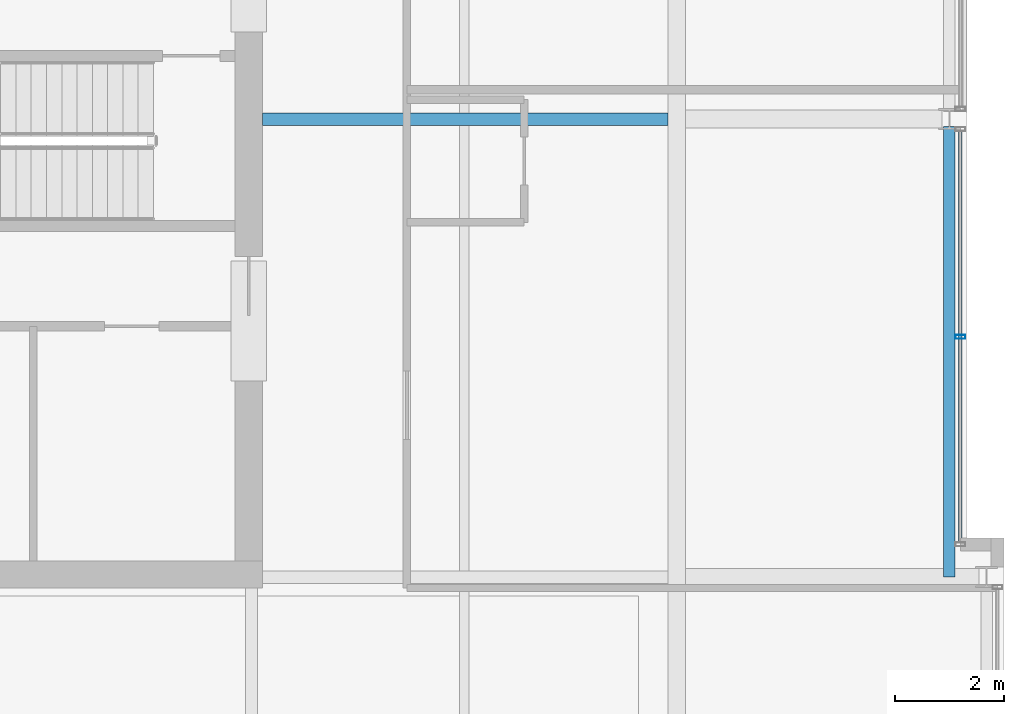
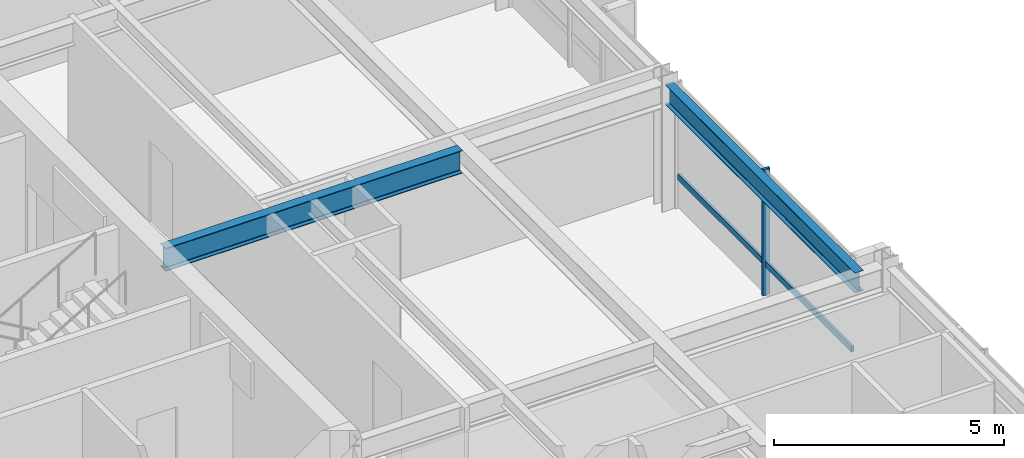
# One storey, part 14 of 31: 2 beams, 2 members, 1 element without a shape of its own.
"""IFC4 building model written with IfcOpenShell, lengths in metres."""

from ifc_helpers import new_model, si_unit, direction, frame, origin, origin_2d, place, context, subcontext, project, spatial, hollow_rectangle, i_section, extrude, material, layer, layer_set, material_profile, profile_set, type_object, element, aggregate, save


model = new_model("IFC4")

# Units and contexts
model_context = context("Model", 3, precision=1e-05, world=origin(), true_north=direction((0.0, 1.0)))
body_context = subcontext(model_context, "Body", "Model", "MODEL_VIEW")
ifc_project = project(units=[si_unit("LENGTHUNIT", "METRE"), si_unit("AREAUNIT", "SQUARE_METRE"), si_unit("VOLUMEUNIT", "CUBIC_METRE"), si_unit("PLANEANGLEUNIT", "RADIAN"), si_unit("MASSUNIT", "GRAM", prefix="KILO")], contexts=[model_context])

# Site, building, storey
site_placement = place(None, origin())
site = spatial("IfcSite", under=ifc_project, at=site_placement, CompositionType="ELEMENT")
building_placement = place(site_placement, origin())
building = spatial("IfcBuilding", under=site, at=building_placement, Name="Drelvath Grand Hotel", CompositionType="ELEMENT")
storey_placement = place(building_placement, frame((0.0, 0.0, 219.5)))
storey = spatial("IfcBuildingStorey", under=building, at=storey_placement, Name="L57", CompositionType="ELEMENT", Elevation=219.5)

# Curtain wall, members
ifc_material_1 = material(Name="Platinum-Mist Anodised Aluminium Frame", Category="aluminium")
ifc_layer = layer(ifc_material_1, 0.199951171875)
ifc_layer_set = layer_set([ifc_layer], Name="Platinum-Mist Anodised Aluminium Frame")
curtain_wall_type = type_object("IfcCurtainWallType", Name="Stick Curtain Wall CW-05 Platinum Mist High-Rise", PredefinedType="NOTDEFINED", material=ifc_layer_set)
curtain_wall_placement = place(storey_placement, origin())
curtain_wall = element("IfcCurtainWall", 1, at=curtain_wall_placement, inside=storey, type_object=curtain_wall_type, Name="L57 CW-05 Curtain Wall CW05-L57-EM1", PredefinedType="NOTDEFINED")
ifc_material_profile_1 = material_profile(ifc_material_1, hollow_rectangle(XDim=0.06494140625, YDim=0.159912109375, WallThickness=0.00390625, at=origin_2d()), Name="HSS160X65X4")
ifc_profile_set_1 = profile_set([ifc_material_profile_1], Name="Platinum-Mist Anodised Aluminium Frame")
member_type_1 = type_object("IfcMemberType", Name="Curtain Wall Horizontal Transom CW-05 HSS160X65X4", PredefinedType="USERDEFINED", material=ifc_profile_set_1)
member_1_placement = place(storey_placement, frame((21.39990234375, 26.774658203125, 0.8349609375), z_axis=(0.0, -1.0, 0.0), x_axis=(1.0, 0.0, 0.0)))
member_1 = element("IfcMember", 2, at=member_1_placement, type_object=member_type_1, Name="CW05-L57-EM1 Sill Transom", ObjectType="TRANSOM", PredefinedType="USERDEFINED", context=body_context, shape_type="SweptSolid", body=[
    extrude(hollow_rectangle(XDim=0.06494140625, YDim=0.159912109375, WallThickness=0.00390625, at=origin_2d()), origin(), (0.0, 0.0, 1.0), 7.53466796875),
])
ifc_material_profile_2 = material_profile(ifc_material_1, hollow_rectangle(XDim=0.074951171875, YDim=0.179931640625, WallThickness=0.0048828125, at=origin_2d()), Name="HSS180X75X5")
ifc_profile_set_2 = profile_set([ifc_material_profile_2], Name="Platinum-Mist Anodised Aluminium Frame")
member_type_2 = type_object("IfcMemberType", Name="Curtain Wall Vertical Mullion CW-05 HSS180X75X5", PredefinedType="MULLION", material=ifc_profile_set_2)
member_2_placement = place(storey_placement, frame((21.39990234375, 23.00732421875, 0.0), z_axis=(0.0, 0.0, 1.0), x_axis=(0.0, 1.0, 0.0)))
member_2 = element("IfcMember", 3, at=member_2_placement, type_object=member_type_2, Name="CW05-L57-EM1 Mullion 2", PredefinedType="MULLION", context=body_context, shape_type="SweptSolid", body=[
    extrude(hollow_rectangle(XDim=0.074951171875, YDim=0.179931640625, WallThickness=0.0048828125, at=origin_2d()), origin(), (0.0, 0.0, 1.0), 3.340087890625),
])
aggregate(curtain_wall, [member_2, member_1])

# Beams
ifc_material_2 = material(Name="Steel ASTM A992 Gr 50", Category="steel")
ifc_material_profile_3 = material_profile(ifc_material_2, i_section(OverallWidth=0.210205078125, OverallDepth=0.53662109375, WebThickness=0.010986328125, FlangeThickness=0.017333984375, FilletRadius=0.01806640625, at=origin_2d()), Name="W21X68")
ifc_profile_set_3 = profile_set([ifc_material_profile_3], Name="Steel ASTM A992 Gr 50")
beam_type_1 = type_object("IfcBeamType", Name="Perimeter Spandrel Beam W21X68", PredefinedType="SPANDREL", material=ifc_profile_set_3)
beam_1_placement = place(storey_placement, frame((21.199951171875, 18.60009765625, 3.07177734375), z_axis=(0.0, 1.0, 0.0), x_axis=(-1.0, 0.0, 0.0)))
element("IfcBeam", 4, at=beam_1_placement, inside=storey, type_object=beam_type_1, Name="L57 Spandrel East Mid S", PredefinedType="SPANDREL", context=body_context, shape_type="SweptSolid", body=[
    extrude(i_section(OverallWidth=0.210205078125, OverallDepth=0.53662109375, WebThickness=0.010986328125, FlangeThickness=0.017333984375, FilletRadius=0.01806640625, at=origin_2d()), origin(), (0.0, 0.0, 1.0), 8.260009765625),
])
ifc_material_profile_4 = material_profile(ifc_material_2, i_section(OverallWidth=0.228271484375, OverallDepth=0.607666015625, WebThickness=0.01123046875, FlangeThickness=0.017333984375, FilletRadius=0.02001953125, at=origin_2d()), Name="W24X76")
ifc_profile_set_4 = profile_set([ifc_material_profile_4], Name="Steel ASTM A992 Gr 50")
beam_type_2 = type_object("IfcBeamType", Name="Primary Floor Girder W24X76", PredefinedType="BEAM", material=ifc_profile_set_4)
beam_2_placement = place(storey_placement, frame((8.60009765625, 27.0, 3.0361328125), z_axis=(1.0, 0.0, 0.0), x_axis=(0.0, 1.0, 0.0)))
element("IfcBeam", 5, at=beam_2_placement, inside=storey, type_object=beam_type_2, Name="L57 East Core Tie E", PredefinedType="BEAM", context=body_context, shape_type="SweptSolid", body=[
    extrude(i_section(OverallWidth=0.228271484375, OverallDepth=0.607666015625, WebThickness=0.01123046875, FlangeThickness=0.017333984375, FilletRadius=0.02001953125, at=origin_2d()), origin(), (0.0, 0.0, 1.0), 7.43798828125),
])

save(model, "model.ifc")
